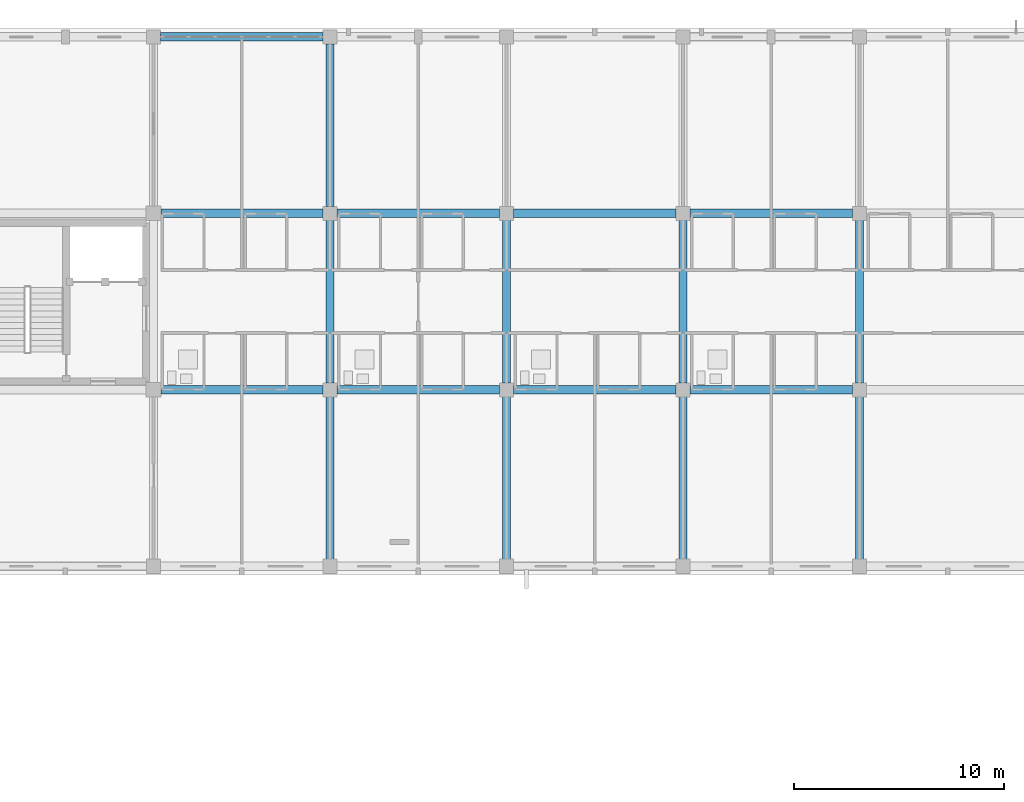
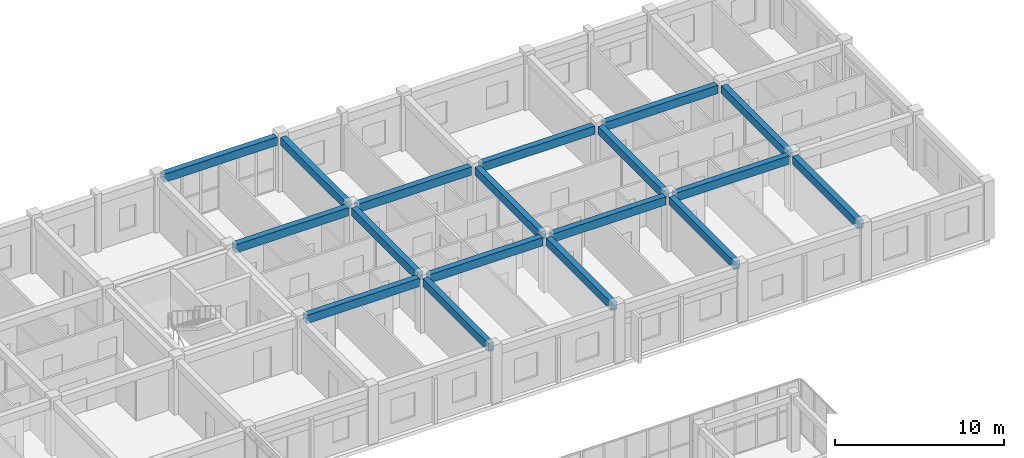
# One storey, part 82 of 140: 18 beams.
"""IFC4 building model written with IfcOpenShell, lengths in metres."""

from ifc_helpers import new_model, si_unit, direction, frame, origin, origin_2d, place, context, subcontext, project, spatial, rectangle, extrude, material, material_profile, profile_set, type_object, element, save


model = new_model("IFC4")

# Units and contexts
model_context = context("Model", 3, precision=1e-05, world=origin(), true_north=direction((0.0, 1.0)))
body_context = subcontext(model_context, "Body", "Model", "MODEL_VIEW")
ifc_project = project(units=[si_unit("LENGTHUNIT", "METRE"), si_unit("AREAUNIT", "SQUARE_METRE"), si_unit("VOLUMEUNIT", "CUBIC_METRE"), si_unit("PLANEANGLEUNIT", "RADIAN"), si_unit("MASSUNIT", "GRAM", prefix="KILO")], contexts=[model_context])

# Site, building, storey
site_placement = place(None, origin())
site = spatial("IfcSite", under=ifc_project, at=site_placement, CompositionType="ELEMENT")
building_placement = place(site_placement, origin())
building = spatial("IfcBuilding", under=site, at=building_placement, Name="Trelvath General Hospital", CompositionType="ELEMENT")
storey_placement = place(building_placement, frame((0.0, 0.0, 16.199951171875)))
storey = spatial("IfcBuildingStorey", under=building, at=storey_placement, Name="L04", CompositionType="ELEMENT", Elevation=16.199951171875)

# Beams
ifc_material_1 = material(Name="Concrete C35/45", Category="concrete")
ifc_material_profile_1 = material_profile(ifc_material_1, rectangle(XDim=0.3798828125, YDim=0.580078125, at=origin_2d()), Name="RCB380x580")
ifc_profile_set_1 = profile_set([ifc_material_profile_1], Name="Concrete C35/45")
beam_type_1 = type_object("IfcBeamType", Name="Beam RC380x580", PredefinedType="BEAM", material=ifc_profile_set_1)
beam_1_placement = place(storey_placement, frame((100.800048828125, 92.735107421875, 3.630126953125), z_axis=(0.0, 1.0, 0.0), x_axis=(-1.0, 0.0, 0.0)))
element("IfcBeam", 1, at=beam_1_placement, inside=storey, type_object=beam_type_1, Name="Grid Beam BY-412L", PredefinedType="BEAM", context=body_context, shape_type="SweptSolid", body=[
    extrude(rectangle(XDim=0.3798828125, YDim=0.580078125, at=origin_2d()), origin(), (0.0, 0.0, 1.0), 7.739990234375),
])
beam_2_placement = place(storey_placement, frame((100.800048828125, 101.125, 3.630126953125), z_axis=(0.0, 1.0, 0.0), x_axis=(-1.0, 0.0, 0.0)))
element("IfcBeam", 2, at=beam_2_placement, inside=storey, type_object=beam_type_1, Name="Grid Beam BY-412M", PredefinedType="BEAM", context=body_context, shape_type="SweptSolid", body=[
    extrude(rectangle(XDim=0.3798828125, YDim=0.580078125, at=origin_2d()), origin(), (0.0, 0.0, 1.0), 7.75),
])
for number, where, z_axis, x_axis, name in (
    (3, (100.800048828125, 109.52490234375, 3.630126953125), (0.0, 1.0, 0.0), (-1.0, 0.0, 0.0), "Grid Beam BY-412N"),
    (4, (109.199951171875, 92.735107421875, 3.630126953125), (0.0, 1.0, 0.0), (-1.0, 0.0, 0.0), "Grid Beam BY-413L"),
):
    element("IfcBeam", number, at=place(storey_placement, frame(where, z_axis=z_axis, x_axis=x_axis)), inside=storey, type_object=beam_type_1, Name=name, PredefinedType="BEAM", context=body_context, shape_type="SweptSolid", body=[
        extrude(rectangle(XDim=0.3798828125, YDim=0.580078125, at=origin_2d()), origin(), (0.0, 0.0, 1.0), 7.739990234375),
    ])
beam_3_placement = place(storey_placement, frame((109.199951171875, 101.125, 3.630126953125), z_axis=(0.0, 1.0, 0.0), x_axis=(-1.0, 0.0, 0.0)))
element("IfcBeam", 5, at=beam_3_placement, inside=storey, type_object=beam_type_1, Name="Grid Beam BY-413M", PredefinedType="BEAM", context=body_context, shape_type="SweptSolid", body=[
    extrude(rectangle(XDim=0.3798828125, YDim=0.580078125, at=origin_2d()), origin(), (0.0, 0.0, 1.0), 7.75),
])
beam_4_placement = place(storey_placement, frame((117.60009765625, 92.735107421875, 3.630126953125), z_axis=(0.0, 1.0, 0.0), x_axis=(-1.0, 0.0, 0.0)))
element("IfcBeam", 6, at=beam_4_placement, inside=storey, type_object=beam_type_1, Name="Grid Beam BY-414L", PredefinedType="BEAM", context=body_context, shape_type="SweptSolid", body=[
    extrude(rectangle(XDim=0.3798828125, YDim=0.580078125, at=origin_2d()), origin(), (0.0, 0.0, 1.0), 7.739990234375),
])
beam_5_placement = place(storey_placement, frame((117.60009765625, 101.125, 3.630126953125), z_axis=(0.0, 1.0, 0.0), x_axis=(-1.0, 0.0, 0.0)))
element("IfcBeam", 7, at=beam_5_placement, inside=storey, type_object=beam_type_1, Name="Grid Beam BY-414M", PredefinedType="BEAM", context=body_context, shape_type="SweptSolid", body=[
    extrude(rectangle(XDim=0.3798828125, YDim=0.580078125, at=origin_2d()), origin(), (0.0, 0.0, 1.0), 7.75),
])
beam_6_placement = place(storey_placement, frame((126.0, 92.735107421875, 3.630126953125), z_axis=(0.0, 1.0, 0.0), x_axis=(-1.0, 0.0, 0.0)))
element("IfcBeam", 8, at=beam_6_placement, inside=storey, type_object=beam_type_1, Name="Grid Beam BY-415L", PredefinedType="BEAM", context=body_context, shape_type="SweptSolid", body=[
    extrude(rectangle(XDim=0.3798828125, YDim=0.580078125, at=origin_2d()), origin(), (0.0, 0.0, 1.0), 7.739990234375),
])
beam_7_placement = place(storey_placement, frame((126.0, 101.125, 3.630126953125), z_axis=(0.0, 1.0, 0.0), x_axis=(-1.0, 0.0, 0.0)))
element("IfcBeam", 9, at=beam_7_placement, inside=storey, type_object=beam_type_1, Name="Grid Beam BY-415M", PredefinedType="BEAM", context=body_context, shape_type="SweptSolid", body=[
    extrude(rectangle(XDim=0.3798828125, YDim=0.580078125, at=origin_2d()), origin(), (0.0, 0.0, 1.0), 7.75),
])
ifc_material_2 = material(Name="Concrete C35/45", Category="concrete")
ifc_material_profile_2 = material_profile(ifc_material_2, rectangle(XDim=0.39990234375, YDim=0.60009765625, at=origin_2d()), Name="RCB400x600")
ifc_profile_set_2 = profile_set([ifc_material_profile_2], Name="Concrete C35/45")
beam_type_2 = type_object("IfcBeamType", Name="Beam RC400x600", PredefinedType="BEAM", material=ifc_profile_set_2)
for number, where, z_axis, x_axis, name in (
    (10, (92.7451171875, 100.800048828125, 3.6201171875), (1.0, 0.0, 0.0), (0.0, 1.0, 0.0), "Grid Beam BX-411M"),
    (11, (92.7451171875, 109.199951171875, 3.6201171875), (1.0, 0.0, 0.0), (0.0, 1.0, 0.0), "Grid Beam BX-411N"),
    (12, (92.735107421875, 117.60009765625, 3.6201171875), (1.0, 0.0, 0.0), (0.0, 1.0, 0.0), "Grid Beam BX-411O"),
):
    element("IfcBeam", number, at=place(storey_placement, frame(where, z_axis=z_axis, x_axis=x_axis)), inside=storey, type_object=beam_type_2, Name=name, PredefinedType="BEAM", context=body_context, shape_type="SweptSolid", body=[
        extrude(rectangle(XDim=0.39990234375, YDim=0.60009765625, at=origin_2d()), origin(), (0.0, 0.0, 1.0), 7.72998046875),
    ])
for number, where, z_axis, x_axis, name in (
    (13, (101.125, 100.800048828125, 3.6201171875), (1.0, 0.0, 0.0), (0.0, 1.0, 0.0), "Grid Beam BX-412M"),
    (14, (101.125, 109.199951171875, 3.6201171875), (1.0, 0.0, 0.0), (0.0, 1.0, 0.0), "Grid Beam BX-412N"),
    (15, (109.52490234375, 100.800048828125, 3.6201171875), (1.0, 0.0, 0.0), (0.0, 1.0, 0.0), "Grid Beam BX-413M"),
    (16, (109.52490234375, 109.199951171875, 3.6201171875), (1.0, 0.0, 0.0), (0.0, 1.0, 0.0), "Grid Beam BX-413N"),
    (17, (117.925048828125, 100.800048828125, 3.6201171875), (1.0, 0.0, 0.0), (0.0, 1.0, 0.0), "Grid Beam BX-414M"),
    (18, (117.925048828125, 109.199951171875, 3.6201171875), (1.0, 0.0, 0.0), (0.0, 1.0, 0.0), "Grid Beam BX-414N"),
):
    element("IfcBeam", number, at=place(storey_placement, frame(where, z_axis=z_axis, x_axis=x_axis)), inside=storey, type_object=beam_type_2, Name=name, PredefinedType="BEAM", context=body_context, shape_type="SweptSolid", body=[
        extrude(rectangle(XDim=0.39990234375, YDim=0.60009765625, at=origin_2d()), origin(), (0.0, 0.0, 1.0), 7.75),
    ])

save(model, "model.ifc")
